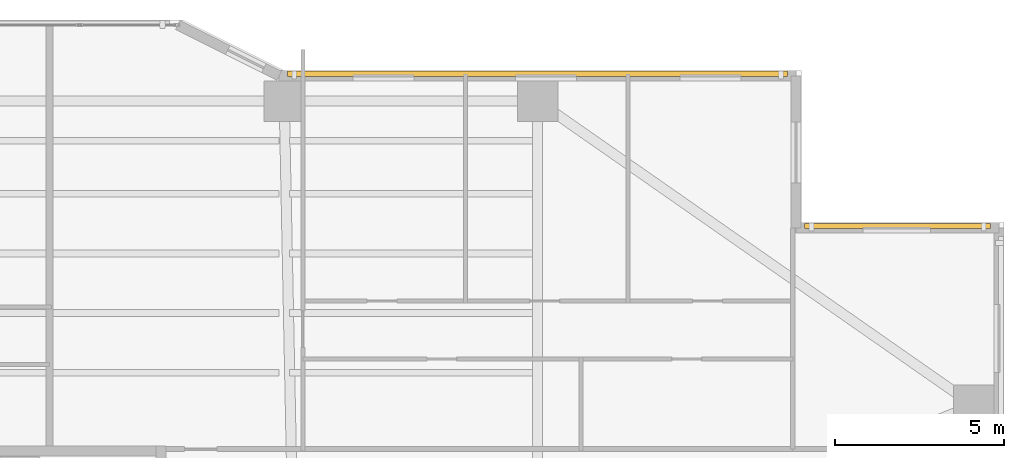
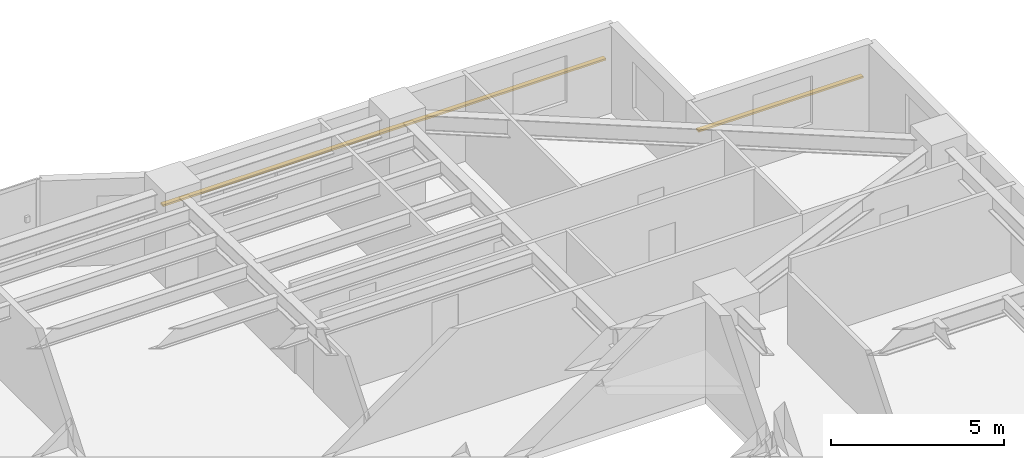
# One storey, part 20 of 20: 2 shading devices.
"""IFC4 building model written with IfcOpenShell, lengths in metres."""

from ifc_helpers import new_model, si_unit, direction, frame, origin, origin_2d, place, context, subcontext, project, spatial, rectangle, extrude, material, material_profile, profile_set, type_object, element, save


model = new_model("IFC4")

# Units and contexts
model_context = context("Model", 3, precision=1e-05, world=origin(), true_north=direction((0.0, 1.0)))
body_context = subcontext(model_context, "Body", "Model", "MODEL_VIEW")
ifc_project = project(units=[si_unit("LENGTHUNIT", "METRE"), si_unit("AREAUNIT", "SQUARE_METRE"), si_unit("VOLUMEUNIT", "CUBIC_METRE"), si_unit("PLANEANGLEUNIT", "RADIAN"), si_unit("MASSUNIT", "GRAM", prefix="KILO")], contexts=[model_context])

# Site, building, storey
site_placement = place(None, origin())
site = spatial("IfcSite", under=ifc_project, at=site_placement, CompositionType="ELEMENT")
building_placement = place(site_placement, origin())
building = spatial("IfcBuilding", under=site, at=building_placement, Name="Tarnavaz Court Tower", CompositionType="ELEMENT")
storey_placement = place(building_placement, frame((0.0, 0.0, 60.85009765625)))
storey = spatial("IfcBuildingStorey", under=building, at=storey_placement, Name="L16", CompositionType="ELEMENT", Elevation=60.85009765625)

# Shading devices
ifc_material = material(Name="Kiln-Fired Khorasan Terracotta Ceramic", Category="masonry")
ifc_material_profile = material_profile(ifc_material, rectangle(XDim=0.14990234375, YDim=0.06494140625, at=origin_2d()), Name="TC BAGUETTE 150X65")
ifc_profile_set = profile_set([ifc_material_profile], Name="Kiln-Fired Khorasan Terracotta Ceramic")
shading_device_type = type_object("IfcShadingDeviceType", Name="SD-BAG-150", PredefinedType="USERDEFINED", material=ifc_profile_set)
shading_device_1_placement = place(storey_placement, frame((7.60009765625, 23.610107421875, 1.849853515625), z_axis=(1.0, 0.0, 0.0), x_axis=(0.0, 1.0, 0.0)))
element("IfcShadingDevice", 1, at=shading_device_1_placement, inside=storey, type_object=shading_device_type, Name="L16 Terracotta Baguette Screen FBG09", ObjectType="BAGUETTE", PredefinedType="USERDEFINED", context=body_context, shape_type="SweptSolid", body=[
    extrude(rectangle(XDim=0.14990234375, YDim=0.06494140625, at=origin_2d()), origin(), (0.0, 0.0, 1.0), 14.7998046875),
])
shading_device_2_placement = place(storey_placement, frame((22.89990234375, 19.110107421875, 1.849853515625), z_axis=(1.0, 0.0, 0.0), x_axis=(0.0, 1.0, 0.0)))
element("IfcShadingDevice", 2, at=shading_device_2_placement, inside=storey, type_object=shading_device_type, Name="L16 Terracotta Baguette Screen FBG11", ObjectType="BAGUETTE", PredefinedType="USERDEFINED", context=body_context, shape_type="SweptSolid", body=[
    extrude(rectangle(XDim=0.14990234375, YDim=0.06494140625, at=origin_2d()), origin(), (0.0, 0.0, 1.0), 5.5),
])

save(model, "model.ifc")
